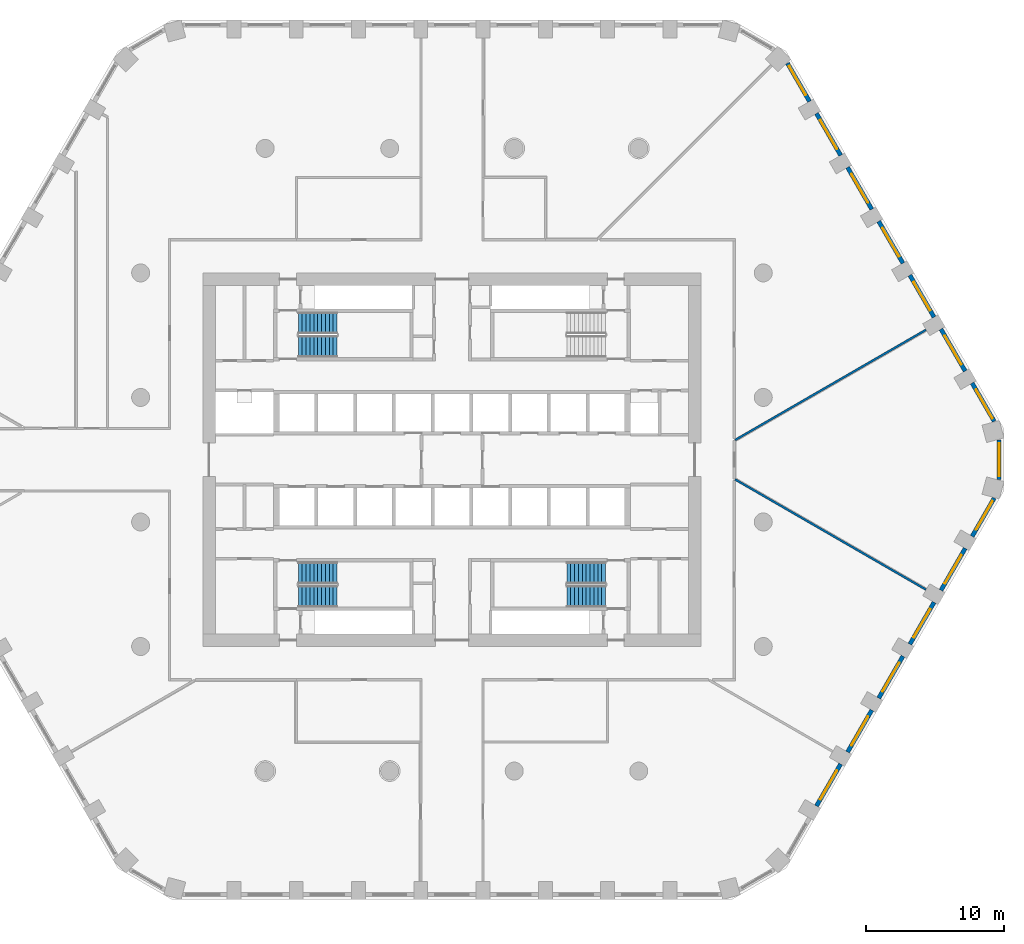
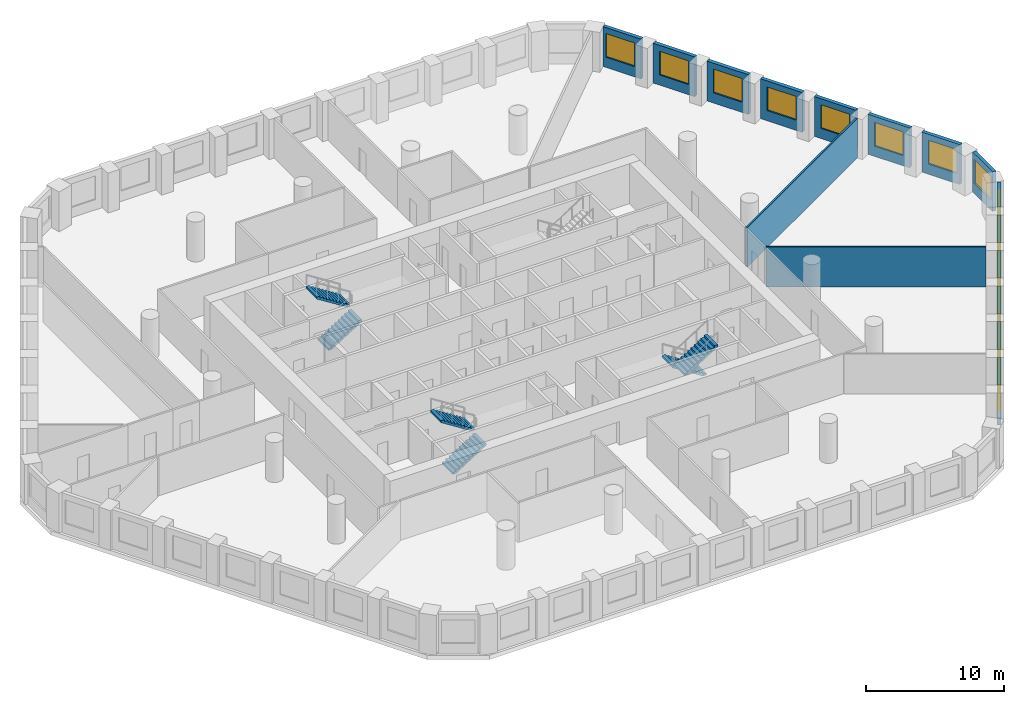
# One storey, part 8 of 14: 16 walls, 14 windows, 6 stair flights, 14 openings, 3 elements without a shape of their own.
"""IFC4 building model written with IfcOpenShell, lengths in metres."""

from ifc_helpers import new_model, si_unit, direction, frame, frame_2d, origin, place, context, subcontext, project, spatial, polyline, rectangle, outline, extrude, material, layer, layer_set, type_object, element, fill, aggregate, save


model = new_model("IFC4")

# Units and contexts
model_context = context("Model", 3, precision=1e-05, world=origin(), true_north=direction((0.0, 1.0)))
body_context = subcontext(model_context, "Body", "Model", "MODEL_VIEW")
ifc_project = project(units=[si_unit("LENGTHUNIT", "METRE"), si_unit("AREAUNIT", "SQUARE_METRE"), si_unit("VOLUMEUNIT", "CUBIC_METRE"), si_unit("PLANEANGLEUNIT", "RADIAN"), si_unit("MASSUNIT", "GRAM", prefix="KILO")], contexts=[model_context])

# Site, building, storey
site_placement = place(None, origin())
site = spatial("IfcSite", under=ifc_project, at=site_placement, CompositionType="ELEMENT")
building_placement = place(site_placement, origin())
building = spatial("IfcBuilding", under=site, at=building_placement, Name="Dhurran Vertical Campus", CompositionType="ELEMENT")
storey_placement = place(building_placement, frame((0.0, 0.0, 100.800048828125)))
storey = spatial("IfcBuildingStorey", under=building, at=storey_placement, Name="L24", CompositionType="ELEMENT", Elevation=100.800048828125)

# Wall, opening, window
ifc_material_1 = material(Name="Precast concrete C50/60", Category="concrete")
ifc_layer_1 = layer(ifc_material_1, 0.300048828125)
ifc_layer_set_1 = layer_set([ifc_layer_1], Name="Precast concrete C50/60")
wall_type_1 = type_object("IfcWallType", Name="Precast spandrel wall 300", PredefinedType="SOLIDWALL", material=ifc_layer_set_1)
wall_1_placement = place(storey_placement, frame((26.34423828125, -25.024169921875, 0.0), z_axis=(0.0, 0.0, 1.0), x_axis=(0.499996256241, 0.866027565234, 0.0)))
wall_1 = element("IfcWall", 1, at=wall_1_placement, inside=storey, type_object=wall_type_1, Name="EW1 L24.11", PredefinedType="SOLIDWALL", context=body_context, shape_type="SweptSolid", body=[
    extrude(rectangle(XDim=3.4990234375, YDim=0.300048828125, at=frame_2d((1.74951171875, 0.0))), origin(), (0.0, 0.0, 1.0), 3.52490234375),
])
opening_1_placement = place(wall_1_placement, frame((0.549560546875, 0.0, 0.89990234375)))
opening_1 = element("IfcOpeningElement", 2, at=opening_1_placement, cuts=wall_1, Name="Opening WT1", PredefinedType="OPENING", context=body_context, shape_type="SweptSolid", body=[
    extrude(rectangle(XDim=2.39990234375, YDim=2.10009765625, at=frame_2d((1.199951171875, 1.050048828125))), frame((0.0, 0.159912109375, 0.0), z_axis=(0.0, -1.0, 0.0), x_axis=(1.0, 0.0, 0.0)), (0.0, 0.0, 1.0), 0.320068359375),
])
ifc_material_2 = material(Name="Aluminium frame with solar-control glass", Category="aluminium")
window_type = type_object("IfcWindowType", Name="Punched window 2400 x 2100", PartitioningType="SINGLE_PANEL", PredefinedType="WINDOW", material=ifc_material_2)
window_1_placement = place(opening_1_placement, origin())
window_1 = element("IfcWindow", 3, at=window_1_placement, inside=storey, type_object=window_type, Name="WT1 L24.11", OverallHeight=2.10009765625, OverallWidth=2.39990234375, PartitioningType="SINGLE_PANEL", PredefinedType="WINDOW", context=body_context, shape_type="SweptSolid", body=[
    extrude(rectangle(XDim=2.39990234375, YDim=2.10009765625, at=frame_2d((1.199951171875, 1.050048828125))), frame((0.0, 0.030029296875, 0.0), z_axis=(0.0, -1.0, 0.0), x_axis=(1.0, 0.0, 0.0)), (0.0, 0.0, 1.0), 0.06005859375),
])
fill(opening_1, window_1)

wall_2_placement = place(storey_placement, frame((28.59423828125, -21.127197265625, 0.0), z_axis=(0.0, 0.0, 1.0), x_axis=(0.499996256241, 0.866027565234, 0.0)))
wall_2 = element("IfcWall", 4, at=wall_2_placement, inside=storey, type_object=wall_type_1, Name="EW1 L24.12", PredefinedType="SOLIDWALL", context=body_context, shape_type="SweptSolid", body=[
    extrude(rectangle(XDim=3.4990234375, YDim=0.300048828125, at=frame_2d((1.74951171875, 0.0))), origin(), (0.0, 0.0, 1.0), 3.52490234375),
])
opening_2_placement = place(wall_2_placement, frame((0.549560546875, 0.0, 0.89990234375)))
opening_2 = element("IfcOpeningElement", 5, at=opening_2_placement, cuts=wall_2, Name="Opening WT1", PredefinedType="OPENING", context=body_context, shape_type="SweptSolid", body=[
    extrude(rectangle(XDim=2.39990234375, YDim=2.10009765625, at=frame_2d((1.199951171875, 1.050048828125))), frame((0.0, 0.159912109375, 0.0), z_axis=(0.0, -1.0, 0.0), x_axis=(1.0, 0.0, 0.0)), (0.0, 0.0, 1.0), 0.320068359375),
])
window_2_placement = place(opening_2_placement, origin())
window_2 = element("IfcWindow", 6, at=window_2_placement, inside=storey, type_object=window_type, Name="WT1 L24.12", OverallHeight=2.10009765625, OverallWidth=2.39990234375, PartitioningType="SINGLE_PANEL", PredefinedType="WINDOW", context=body_context, shape_type="SweptSolid", body=[
    extrude(rectangle(XDim=2.39990234375, YDim=2.10009765625, at=frame_2d((1.199951171875, 1.050048828125))), frame((0.0, 0.030029296875, 0.0), z_axis=(0.0, -1.0, 0.0), x_axis=(1.0, 0.0, 0.0)), (0.0, 0.0, 1.0), 0.06005859375),
])
fill(opening_2, window_2)

wall_3_placement = place(storey_placement, frame((30.84423828125, -17.22998046875, 0.0), z_axis=(0.0, 0.0, 1.0), x_axis=(0.499996256241, 0.866027565234, 0.0)))
wall_3 = element("IfcWall", 7, at=wall_3_placement, inside=storey, type_object=wall_type_1, Name="EW1 L24.13", PredefinedType="SOLIDWALL", context=body_context, shape_type="SweptSolid", body=[
    extrude(rectangle(XDim=3.4990234375, YDim=0.300048828125, at=frame_2d((1.74951171875, 0.0))), origin(), (0.0, 0.0, 1.0), 3.52490234375),
])
opening_3_placement = place(wall_3_placement, frame((0.549560546875, 0.0, 0.89990234375)))
opening_3 = element("IfcOpeningElement", 8, at=opening_3_placement, cuts=wall_3, Name="Opening WT1", PredefinedType="OPENING", context=body_context, shape_type="SweptSolid", body=[
    extrude(rectangle(XDim=2.39990234375, YDim=2.10009765625, at=frame_2d((1.199951171875, 1.050048828125))), frame((0.0, 0.159912109375, 0.0), z_axis=(0.0, -1.0, 0.0), x_axis=(1.0, 0.0, 0.0)), (0.0, 0.0, 1.0), 0.320068359375),
])
window_3_placement = place(opening_3_placement, origin())
window_3 = element("IfcWindow", 9, at=window_3_placement, inside=storey, type_object=window_type, Name="WT1 L24.13", OverallHeight=2.10009765625, OverallWidth=2.39990234375, PartitioningType="SINGLE_PANEL", PredefinedType="WINDOW", context=body_context, shape_type="SweptSolid", body=[
    extrude(rectangle(XDim=2.39990234375, YDim=2.10009765625, at=frame_2d((1.199951171875, 1.050048828125))), frame((0.0, 0.030029296875, 0.0), z_axis=(0.0, -1.0, 0.0), x_axis=(1.0, 0.0, 0.0)), (0.0, 0.0, 1.0), 0.06005859375),
])
fill(opening_3, window_3)

wall_4_placement = place(storey_placement, frame((33.09423828125, -13.3330078125, 0.0), z_axis=(0.0, 0.0, 1.0), x_axis=(0.499996256241, 0.866027565234, 0.0)))
wall_4 = element("IfcWall", 10, at=wall_4_placement, inside=storey, type_object=wall_type_1, Name="EW1 L24.14", PredefinedType="SOLIDWALL", context=body_context, shape_type="SweptSolid", body=[
    extrude(rectangle(XDim=3.4990234375, YDim=0.300048828125, at=frame_2d((1.74951171875, 0.0))), origin(), (0.0, 0.0, 1.0), 3.52490234375),
])
opening_4_placement = place(wall_4_placement, frame((0.549560546875, 0.0, 0.89990234375)))
opening_4 = element("IfcOpeningElement", 11, at=opening_4_placement, cuts=wall_4, Name="Opening WT1", PredefinedType="OPENING", context=body_context, shape_type="SweptSolid", body=[
    extrude(rectangle(XDim=2.39990234375, YDim=2.10009765625, at=frame_2d((1.199951171875, 1.050048828125))), frame((0.0, 0.159912109375, 0.0), z_axis=(0.0, -1.0, 0.0), x_axis=(1.0, 0.0, 0.0)), (0.0, 0.0, 1.0), 0.320068359375),
])
window_4_placement = place(opening_4_placement, origin())
window_4 = element("IfcWindow", 12, at=window_4_placement, inside=storey, type_object=window_type, Name="WT1 L24.14", OverallHeight=2.10009765625, OverallWidth=2.39990234375, PartitioningType="SINGLE_PANEL", PredefinedType="WINDOW", context=body_context, shape_type="SweptSolid", body=[
    extrude(rectangle(XDim=2.39990234375, YDim=2.10009765625, at=frame_2d((1.199951171875, 1.050048828125))), frame((0.0, 0.030029296875, 0.0), z_axis=(0.0, -1.0, 0.0), x_axis=(1.0, 0.0, 0.0)), (0.0, 0.0, 1.0), 0.06005859375),
])
fill(opening_4, window_4)

wall_5_placement = place(storey_placement, frame((35.34423828125, -9.435791015625, 0.0), z_axis=(0.0, 0.0, 1.0), x_axis=(0.499996256241, 0.866027565234, 0.0)))
wall_5 = element("IfcWall", 13, at=wall_5_placement, inside=storey, type_object=wall_type_1, Name="EW1 L24.15", PredefinedType="SOLIDWALL", context=body_context, shape_type="SweptSolid", body=[
    extrude(rectangle(XDim=3.4990234375, YDim=0.300048828125, at=frame_2d((1.74951171875, 0.0))), origin(), (0.0, 0.0, 1.0), 3.52490234375),
])
opening_5_placement = place(wall_5_placement, frame((0.549560546875, 0.0, 0.89990234375)))
opening_5 = element("IfcOpeningElement", 14, at=opening_5_placement, cuts=wall_5, Name="Opening WT1", PredefinedType="OPENING", context=body_context, shape_type="SweptSolid", body=[
    extrude(rectangle(XDim=2.39990234375, YDim=2.10009765625, at=frame_2d((1.199951171875, 1.050048828125))), frame((0.0, 0.159912109375, 0.0), z_axis=(0.0, -1.0, 0.0), x_axis=(1.0, 0.0, 0.0)), (0.0, 0.0, 1.0), 0.320068359375),
])
window_5_placement = place(opening_5_placement, origin())
window_5 = element("IfcWindow", 15, at=window_5_placement, inside=storey, type_object=window_type, Name="WT1 L24.15", OverallHeight=2.10009765625, OverallWidth=2.39990234375, PartitioningType="SINGLE_PANEL", PredefinedType="WINDOW", context=body_context, shape_type="SweptSolid", body=[
    extrude(rectangle(XDim=2.39990234375, YDim=2.10009765625, at=frame_2d((1.199951171875, 1.050048828125))), frame((0.0, 0.030029296875, 0.0), z_axis=(0.0, -1.0, 0.0), x_axis=(1.0, 0.0, 0.0)), (0.0, 0.0, 1.0), 0.06005859375),
])
fill(opening_5, window_5)

wall_6_placement = place(storey_placement, frame((37.59423828125, -5.538818359375, 0.0), z_axis=(0.0, 0.0, 1.0), x_axis=(0.500004907028, 0.866022570692, 0.0)))
wall_6 = element("IfcWall", 16, at=wall_6_placement, inside=storey, type_object=wall_type_1, Name="EW1 L24.16", PredefinedType="SOLIDWALL", context=body_context, shape_type="SweptSolid", body=[
    extrude(rectangle(XDim=3.1923828125, YDim=0.300048828125, at=frame_2d((1.59619140625, 0.0))), origin(), (0.0, 0.0, 1.0), 3.52490234375),
])
opening_6_placement = place(wall_6_placement, frame((0.549560546875, 0.0, 0.89990234375)))
opening_6 = element("IfcOpeningElement", 17, at=opening_6_placement, cuts=wall_6, Name="Opening WT1", PredefinedType="OPENING", context=body_context, shape_type="SweptSolid", body=[
    extrude(rectangle(XDim=2.39990234375, YDim=2.10009765625, at=frame_2d((1.199951171875, 1.050048828125))), frame((0.0, 0.159912109375, 0.0), z_axis=(0.0, -1.0, 0.0), x_axis=(1.0, 0.0, 0.0)), (0.0, 0.0, 1.0), 0.320068359375),
])
window_6_placement = place(opening_6_placement, origin())
window_6 = element("IfcWindow", 18, at=window_6_placement, inside=storey, type_object=window_type, Name="WT1 L24.16", OverallHeight=2.10009765625, OverallWidth=2.39990234375, PartitioningType="SINGLE_PANEL", PredefinedType="WINDOW", context=body_context, shape_type="SweptSolid", body=[
    extrude(rectangle(XDim=2.39990234375, YDim=2.10009765625, at=frame_2d((1.199951171875, 1.050048828125))), frame((0.0, 0.030029296875, 0.0), z_axis=(0.0, -1.0, 0.0), x_axis=(1.0, 0.0, 0.0)), (0.0, 0.0, 1.0), 0.06005859375),
])
fill(opening_6, window_6)

wall_7_placement = place(storey_placement, frame((39.547119140625, -1.44287109375, 0.0), z_axis=(0.0, 0.0, 1.0), x_axis=(0.0, 1.0, 0.0)))
wall_7 = element("IfcWall", 19, at=wall_7_placement, inside=storey, type_object=wall_type_1, Name="EW1 L24.17", PredefinedType="SOLIDWALL", context=body_context, shape_type="SweptSolid", body=[
    extrude(rectangle(XDim=2.8857421875, YDim=0.300048828125, at=frame_2d((1.44287109375, 0.0))), origin(), (0.0, 0.0, 1.0), 3.52490234375),
])
opening_7_placement = place(wall_7_placement, frame((0.242919921875, 0.0, 0.89990234375)))
opening_7 = element("IfcOpeningElement", 20, at=opening_7_placement, cuts=wall_7, Name="Opening WT1", PredefinedType="OPENING", context=body_context, shape_type="SweptSolid", body=[
    extrude(rectangle(XDim=2.39990234375, YDim=2.10009765625, at=frame_2d((1.199951171875, 1.050048828125))), frame((0.0, 0.159912109375, 0.0), z_axis=(0.0, -1.0, 0.0), x_axis=(1.0, 0.0, 0.0)), (0.0, 0.0, 1.0), 0.320068359375),
])
window_7_placement = place(opening_7_placement, origin())
window_7 = element("IfcWindow", 21, at=window_7_placement, inside=storey, type_object=window_type, Name="WT1 L24.17", OverallHeight=2.10009765625, OverallWidth=2.39990234375, PartitioningType="SINGLE_PANEL", PredefinedType="WINDOW", context=body_context, shape_type="SweptSolid", body=[
    extrude(rectangle(XDim=2.39990234375, YDim=2.10009765625, at=frame_2d((1.199951171875, 1.050048828125))), frame((0.0, 0.030029296875, 0.0), z_axis=(0.0, -1.0, 0.0), x_axis=(1.0, 0.0, 0.0)), (0.0, 0.0, 1.0), 0.06005859375),
])
fill(opening_7, window_7)

wall_8_placement = place(storey_placement, frame((39.1904296875, 2.774169921875, 0.0), z_axis=(0.0, 0.0, 1.0), x_axis=(-0.500004907028, 0.866022570692, 0.0)))
wall_8 = element("IfcWall", 22, at=wall_8_placement, inside=storey, type_object=wall_type_1, Name="EW1 L24.18", PredefinedType="SOLIDWALL", context=body_context, shape_type="SweptSolid", body=[
    extrude(rectangle(XDim=3.1923828125, YDim=0.300048828125, at=frame_2d((1.59619140625, 0.0))), origin(), (0.0, 0.0, 1.0), 3.52490234375),
])
opening_8_placement = place(wall_8_placement, frame((0.242919921875, 0.0, 0.89990234375)))
opening_8 = element("IfcOpeningElement", 23, at=opening_8_placement, cuts=wall_8, Name="Opening WT1", PredefinedType="OPENING", context=body_context, shape_type="SweptSolid", body=[
    extrude(rectangle(XDim=2.39990234375, YDim=2.10009765625, at=frame_2d((1.199951171875, 1.050048828125))), frame((0.0, 0.159912109375, 0.0), z_axis=(0.0, -1.0, 0.0), x_axis=(1.0, 0.0, 0.0)), (0.0, 0.0, 1.0), 0.320068359375),
])
window_8_placement = place(opening_8_placement, origin())
window_8 = element("IfcWindow", 24, at=window_8_placement, inside=storey, type_object=window_type, Name="WT1 L24.18", OverallHeight=2.10009765625, OverallWidth=2.39990234375, PartitioningType="SINGLE_PANEL", PredefinedType="WINDOW", context=body_context, shape_type="SweptSolid", body=[
    extrude(rectangle(XDim=2.39990234375, YDim=2.10009765625, at=frame_2d((1.199951171875, 1.050048828125))), frame((0.0, 0.030029296875, 0.0), z_axis=(0.0, -1.0, 0.0), x_axis=(1.0, 0.0, 0.0)), (0.0, 0.0, 1.0), 0.06005859375),
])
fill(opening_8, window_8)

wall_9_placement = place(storey_placement, frame((37.09375, 6.405517578125, 0.0), z_axis=(0.0, 0.0, 1.0), x_axis=(-0.499996256241, 0.866027565234, 0.0)))
wall_9 = element("IfcWall", 25, at=wall_9_placement, inside=storey, type_object=wall_type_1, Name="EW1 L24.19", PredefinedType="SOLIDWALL", context=body_context, shape_type="SweptSolid", body=[
    extrude(rectangle(XDim=3.4990234375, YDim=0.300048828125, at=frame_2d((1.74951171875, 0.0))), origin(), (0.0, 0.0, 1.0), 3.52490234375),
])
opening_9_placement = place(wall_9_placement, frame((0.549560546875, 0.0, 0.89990234375)))
opening_9 = element("IfcOpeningElement", 26, at=opening_9_placement, cuts=wall_9, Name="Opening WT1", PredefinedType="OPENING", context=body_context, shape_type="SweptSolid", body=[
    extrude(rectangle(XDim=2.39990234375, YDim=2.10009765625, at=frame_2d((1.199951171875, 1.050048828125))), frame((0.0, 0.159912109375, 0.0), z_axis=(0.0, -1.0, 0.0), x_axis=(1.0, 0.0, 0.0)), (0.0, 0.0, 1.0), 0.320068359375),
])
window_9_placement = place(opening_9_placement, origin())
window_9 = element("IfcWindow", 27, at=window_9_placement, inside=storey, type_object=window_type, Name="WT1 L24.19", OverallHeight=2.10009765625, OverallWidth=2.39990234375, PartitioningType="SINGLE_PANEL", PredefinedType="WINDOW", context=body_context, shape_type="SweptSolid", body=[
    extrude(rectangle(XDim=2.39990234375, YDim=2.10009765625, at=frame_2d((1.199951171875, 1.050048828125))), frame((0.0, 0.030029296875, 0.0), z_axis=(0.0, -1.0, 0.0), x_axis=(1.0, 0.0, 0.0)), (0.0, 0.0, 1.0), 0.06005859375),
])
fill(opening_9, window_9)

wall_10_placement = place(storey_placement, frame((34.84375, 10.302734375, 0.0), z_axis=(0.0, 0.0, 1.0), x_axis=(-0.499996256241, 0.866027565234, 0.0)))
wall_10 = element("IfcWall", 28, at=wall_10_placement, inside=storey, type_object=wall_type_1, Name="EW1 L24.20", PredefinedType="SOLIDWALL", context=body_context, shape_type="SweptSolid", body=[
    extrude(rectangle(XDim=3.4990234375, YDim=0.300048828125, at=frame_2d((1.74951171875, 0.0))), origin(), (0.0, 0.0, 1.0), 3.52490234375),
])
opening_10_placement = place(wall_10_placement, frame((0.549560546875, 0.0, 0.89990234375)))
opening_10 = element("IfcOpeningElement", 29, at=opening_10_placement, cuts=wall_10, Name="Opening WT1", PredefinedType="OPENING", context=body_context, shape_type="SweptSolid", body=[
    extrude(rectangle(XDim=2.39990234375, YDim=2.10009765625, at=frame_2d((1.199951171875, 1.050048828125))), frame((0.0, 0.159912109375, 0.0), z_axis=(0.0, -1.0, 0.0), x_axis=(1.0, 0.0, 0.0)), (0.0, 0.0, 1.0), 0.320068359375),
])
window_10_placement = place(opening_10_placement, origin())
window_10 = element("IfcWindow", 30, at=window_10_placement, inside=storey, type_object=window_type, Name="WT1 L24.20", OverallHeight=2.10009765625, OverallWidth=2.39990234375, PartitioningType="SINGLE_PANEL", PredefinedType="WINDOW", context=body_context, shape_type="SweptSolid", body=[
    extrude(rectangle(XDim=2.39990234375, YDim=2.10009765625, at=frame_2d((1.199951171875, 1.050048828125))), frame((0.0, 0.030029296875, 0.0), z_axis=(0.0, -1.0, 0.0), x_axis=(1.0, 0.0, 0.0)), (0.0, 0.0, 1.0), 0.06005859375),
])
fill(opening_10, window_10)

wall_11_placement = place(storey_placement, frame((32.59375, 14.19970703125, 0.0), z_axis=(0.0, 0.0, 1.0), x_axis=(-0.499996256241, 0.866027565234, 0.0)))
wall_11 = element("IfcWall", 31, at=wall_11_placement, inside=storey, type_object=wall_type_1, Name="EW1 L24.21", PredefinedType="SOLIDWALL", context=body_context, shape_type="SweptSolid", body=[
    extrude(rectangle(XDim=3.4990234375, YDim=0.300048828125, at=frame_2d((1.74951171875, 0.0))), origin(), (0.0, 0.0, 1.0), 3.52490234375),
])
opening_11_placement = place(wall_11_placement, frame((0.549560546875, 0.0, 0.89990234375)))
opening_11 = element("IfcOpeningElement", 32, at=opening_11_placement, cuts=wall_11, Name="Opening WT1", PredefinedType="OPENING", context=body_context, shape_type="SweptSolid", body=[
    extrude(rectangle(XDim=2.39990234375, YDim=2.10009765625, at=frame_2d((1.199951171875, 1.050048828125))), frame((0.0, 0.159912109375, 0.0), z_axis=(0.0, -1.0, 0.0), x_axis=(1.0, 0.0, 0.0)), (0.0, 0.0, 1.0), 0.320068359375),
])
window_11_placement = place(opening_11_placement, origin())
window_11 = element("IfcWindow", 33, at=window_11_placement, inside=storey, type_object=window_type, Name="WT1 L24.21", OverallHeight=2.10009765625, OverallWidth=2.39990234375, PartitioningType="SINGLE_PANEL", PredefinedType="WINDOW", context=body_context, shape_type="SweptSolid", body=[
    extrude(rectangle(XDim=2.39990234375, YDim=2.10009765625, at=frame_2d((1.199951171875, 1.050048828125))), frame((0.0, 0.030029296875, 0.0), z_axis=(0.0, -1.0, 0.0), x_axis=(1.0, 0.0, 0.0)), (0.0, 0.0, 1.0), 0.06005859375),
])
fill(opening_11, window_11)

wall_12_placement = place(storey_placement, frame((30.34375, 18.096923828125, 0.0), z_axis=(0.0, 0.0, 1.0), x_axis=(-0.499996256241, 0.866027565234, 0.0)))
wall_12 = element("IfcWall", 34, at=wall_12_placement, inside=storey, type_object=wall_type_1, Name="EW1 L24.22", PredefinedType="SOLIDWALL", context=body_context, shape_type="SweptSolid", body=[
    extrude(rectangle(XDim=3.4990234375, YDim=0.300048828125, at=frame_2d((1.74951171875, 0.0))), origin(), (0.0, 0.0, 1.0), 3.52490234375),
])
opening_12_placement = place(wall_12_placement, frame((0.549560546875, 0.0, 0.89990234375)))
opening_12 = element("IfcOpeningElement", 35, at=opening_12_placement, cuts=wall_12, Name="Opening WT1", PredefinedType="OPENING", context=body_context, shape_type="SweptSolid", body=[
    extrude(rectangle(XDim=2.39990234375, YDim=2.10009765625, at=frame_2d((1.199951171875, 1.050048828125))), frame((0.0, 0.159912109375, 0.0), z_axis=(0.0, -1.0, 0.0), x_axis=(1.0, 0.0, 0.0)), (0.0, 0.0, 1.0), 0.320068359375),
])
window_12_placement = place(opening_12_placement, origin())
window_12 = element("IfcWindow", 36, at=window_12_placement, inside=storey, type_object=window_type, Name="WT1 L24.22", OverallHeight=2.10009765625, OverallWidth=2.39990234375, PartitioningType="SINGLE_PANEL", PredefinedType="WINDOW", context=body_context, shape_type="SweptSolid", body=[
    extrude(rectangle(XDim=2.39990234375, YDim=2.10009765625, at=frame_2d((1.199951171875, 1.050048828125))), frame((0.0, 0.030029296875, 0.0), z_axis=(0.0, -1.0, 0.0), x_axis=(1.0, 0.0, 0.0)), (0.0, 0.0, 1.0), 0.06005859375),
])
fill(opening_12, window_12)

wall_13_placement = place(storey_placement, frame((28.09375, 21.993896484375, 0.0), z_axis=(0.0, 0.0, 1.0), x_axis=(-0.499996256241, 0.866027565234, 0.0)))
wall_13 = element("IfcWall", 37, at=wall_13_placement, inside=storey, type_object=wall_type_1, Name="EW1 L24.23", PredefinedType="SOLIDWALL", context=body_context, shape_type="SweptSolid", body=[
    extrude(rectangle(XDim=3.4990234375, YDim=0.300048828125, at=frame_2d((1.74951171875, 0.0))), origin(), (0.0, 0.0, 1.0), 3.52490234375),
])
opening_13_placement = place(wall_13_placement, frame((0.549560546875, 0.0, 0.89990234375)))
opening_13 = element("IfcOpeningElement", 38, at=opening_13_placement, cuts=wall_13, Name="Opening WT1", PredefinedType="OPENING", context=body_context, shape_type="SweptSolid", body=[
    extrude(rectangle(XDim=2.39990234375, YDim=2.10009765625, at=frame_2d((1.199951171875, 1.050048828125))), frame((0.0, 0.159912109375, 0.0), z_axis=(0.0, -1.0, 0.0), x_axis=(1.0, 0.0, 0.0)), (0.0, 0.0, 1.0), 0.320068359375),
])
window_13_placement = place(opening_13_placement, origin())
window_13 = element("IfcWindow", 39, at=window_13_placement, inside=storey, type_object=window_type, Name="WT1 L24.23", OverallHeight=2.10009765625, OverallWidth=2.39990234375, PartitioningType="SINGLE_PANEL", PredefinedType="WINDOW", context=body_context, shape_type="SweptSolid", body=[
    extrude(rectangle(XDim=2.39990234375, YDim=2.10009765625, at=frame_2d((1.199951171875, 1.050048828125))), frame((0.0, 0.030029296875, 0.0), z_axis=(0.0, -1.0, 0.0), x_axis=(1.0, 0.0, 0.0)), (0.0, 0.0, 1.0), 0.06005859375),
])
fill(opening_13, window_13)

wall_14_placement = place(storey_placement, frame((25.84375, 25.89111328125, 0.0), z_axis=(0.0, 0.0, 1.0), x_axis=(-0.500004907028, 0.866022570692, 0.0)))
wall_14 = element("IfcWall", 40, at=wall_14_placement, inside=storey, type_object=wall_type_1, Name="EW1 L24.24", PredefinedType="SOLIDWALL", context=body_context, shape_type="SweptSolid", body=[
    extrude(rectangle(XDim=3.1923828125, YDim=0.300048828125, at=frame_2d((1.59619140625, 0.0))), origin(), (0.0, 0.0, 1.0), 3.52490234375),
])
opening_14_placement = place(wall_14_placement, frame((0.549560546875, 0.0, 0.89990234375)))
opening_14 = element("IfcOpeningElement", 41, at=opening_14_placement, cuts=wall_14, Name="Opening WT1", PredefinedType="OPENING", context=body_context, shape_type="SweptSolid", body=[
    extrude(rectangle(XDim=2.39990234375, YDim=2.10009765625, at=frame_2d((1.199951171875, 1.050048828125))), frame((0.0, 0.159912109375, 0.0), z_axis=(0.0, -1.0, 0.0), x_axis=(1.0, 0.0, 0.0)), (0.0, 0.0, 1.0), 0.320068359375),
])
window_14_placement = place(opening_14_placement, origin())
window_14 = element("IfcWindow", 42, at=window_14_placement, inside=storey, type_object=window_type, Name="WT1 L24.24", OverallHeight=2.10009765625, OverallWidth=2.39990234375, PartitioningType="SINGLE_PANEL", PredefinedType="WINDOW", context=body_context, shape_type="SweptSolid", body=[
    extrude(rectangle(XDim=2.39990234375, YDim=2.10009765625, at=frame_2d((1.199951171875, 1.050048828125))), frame((0.0, 0.030029296875, 0.0), z_axis=(0.0, -1.0, 0.0), x_axis=(1.0, 0.0, 0.0)), (0.0, 0.0, 1.0), 0.06005859375),
])
fill(opening_14, window_14)

# Walls
ifc_material_3 = material(Name="Gypsum board partition on steel studs", Category="steel")
ifc_layer_2 = layer(ifc_material_3, 0.14990234375)
ifc_layer_set_2 = layer_set([ifc_layer_2], Name="Gypsum board partition on steel studs")
wall_type_2 = type_object("IfcWallType", Name="fl-PW-150 fixed partition", PredefinedType="PARTITIONING", material=ifc_layer_set_2)
for number, where, z_axis, x_axis, name in (
    (43, (20.465087890625, -1.423583984375, 0.0), (0.0, 0.0, 1.0), (0.866033144593, -0.499986592286, 0.0), "Partition 24-46"),
    (44, (34.25390625, 9.38427734375, 0.0), (0.0, 0.0, 1.0), (-0.866033144593, -0.499986592286, 0.0), "Partition 24-48"),
):
    element("IfcWall", number, at=place(storey_placement, frame(where, z_axis=z_axis, x_axis=x_axis)), inside=storey, type_object=wall_type_2, Name=name, PredefinedType="PARTITIONING", context=body_context, shape_type="SweptSolid", body=[
        extrude(rectangle(XDim=15.921875, YDim=0.14990234375, at=frame_2d((7.9609375, 0.0))), origin(), (0.0, 0.0, 1.0), 3.52490234375),
    ])

# Stair, stair flights
ifc_material_4 = material(Name="Concrete C40/50", Category="concrete")
stair_type = type_object("IfcStairType", Name="co-ST-CORE", PredefinedType="HALF_TURN_STAIR", material=ifc_material_4)
stair_1_placement = place(storey_placement, origin())
stair_1 = element("IfcStair", 45, at=stair_1_placement, inside=storey, type_object=stair_type, Name="L24 Protected exit stair ST1", PredefinedType="HALF_TURN_STAIR")
ifc_material_5 = material(Name="Concrete C40/50", Category="concrete")
stair_flight_type = type_object("IfcStairFlightType", Name="co-SFL-RC", PredefinedType="STRAIGHT", material=ifc_material_5)
stair_flight_1_placement = place(storey_placement, frame((-11.10009765625, 8.175048828125, 0.0), z_axis=(0.0, 0.0, 1.0), x_axis=(1.0, 0.0, 0.0)))
stair_flight_1 = element("IfcStairFlight", 46, at=stair_flight_1_placement, type_object=stair_flight_type, Name="ST1 flight 1", NumberOfRisers=11, NumberOfTreads=10, PredefinedType="STRAIGHT", RiserHeight=0.177272727, TreadLength=0.28, context=body_context, shape_type="SweptSolid", body=[
    extrude(outline(polyline([(0.0, 0.0), (0.0, 0.17724609375), (0.280029296875, 0.17724609375), (0.280029296875, 0.3544921875), (0.56005859375, 0.3544921875), (0.56005859375, 0.53173828125), (0.840087890625, 0.53173828125), (0.840087890625, 0.708984375), (1.1201171875, 0.708984375), (1.1201171875, 0.886474609375), (1.39990234375, 0.886474609375), (1.39990234375, 1.063720703125), (1.679931640625, 1.063720703125), (1.679931640625, 1.240966796875), (1.9599609375, 1.240966796875), (1.9599609375, 1.418212890625), (2.239990234375, 1.418212890625), (2.239990234375, 1.595458984375), (2.52001953125, 1.595458984375), (2.52001953125, 1.772705078125), (2.800048828125, 1.772705078125), (2.800048828125, 1.949951171875), (2.800048828125, 1.59521484375), (0.2802734375, 0.0), (0.0, 0.0)])), frame((0.0, 0.77490234375, 0.0), z_axis=(0.0, -1.0, 0.0), x_axis=(1.0, 0.0, 0.0)), (0.0, 0.0, 1.0), 1.550048828125),
])
stair_flight_2_placement = place(storey_placement, frame((-8.300048828125, 9.875, 1.949951171875), z_axis=(0.0, 0.0, 1.0), x_axis=(-1.0, 0.0, 0.0)))
stair_flight_2 = element("IfcStairFlight", 47, at=stair_flight_2_placement, type_object=stair_flight_type, Name="ST1 flight 2", NumberOfRisers=11, NumberOfTreads=10, PredefinedType="STRAIGHT", RiserHeight=0.177272727, TreadLength=0.28, context=body_context, shape_type="SweptSolid", body=[
    extrude(outline(polyline([(0.0, 0.0), (0.0, 0.17724609375), (0.280029296875, 0.17724609375), (0.280029296875, 0.3544921875), (0.56005859375, 0.3544921875), (0.56005859375, 0.53173828125), (0.840087890625, 0.53173828125), (0.840087890625, 0.708984375), (1.1201171875, 0.708984375), (1.1201171875, 0.886474609375), (1.39990234375, 0.886474609375), (1.39990234375, 1.063720703125), (1.679931640625, 1.063720703125), (1.679931640625, 1.240966796875), (1.9599609375, 1.240966796875), (1.9599609375, 1.418212890625), (2.239990234375, 1.418212890625), (2.239990234375, 1.595458984375), (2.52001953125, 1.595458984375), (2.52001953125, 1.772705078125), (2.800048828125, 1.772705078125), (2.800048828125, 1.949951171875), (2.800048828125, 1.59521484375), (0.2802734375, 0.0), (0.0, 0.0)])), frame((0.0, 0.77490234375, 0.0), z_axis=(0.0, -1.0, 0.0), x_axis=(1.0, 0.0, 0.0)), (0.0, 0.0, 1.0), 1.550048828125),
])
aggregate(stair_1, [stair_flight_1, stair_flight_2])

stair_2_placement = place(storey_placement, origin())
stair_2 = element("IfcStair", 48, at=stair_2_placement, inside=storey, type_object=stair_type, Name="L24 Protected exit stair ST3", PredefinedType="HALF_TURN_STAIR")
stair_flight_3_placement = place(storey_placement, frame((-11.10009765625, -9.875, 0.0), z_axis=(0.0, 0.0, 1.0), x_axis=(1.0, 0.0, 0.0)))
stair_flight_3 = element("IfcStairFlight", 49, at=stair_flight_3_placement, type_object=stair_flight_type, Name="ST3 flight 1", NumberOfRisers=11, NumberOfTreads=10, PredefinedType="STRAIGHT", RiserHeight=0.177272727, TreadLength=0.28, context=body_context, shape_type="SweptSolid", body=[
    extrude(outline(polyline([(0.0, 0.0), (0.0, 0.17724609375), (0.280029296875, 0.17724609375), (0.280029296875, 0.3544921875), (0.56005859375, 0.3544921875), (0.56005859375, 0.53173828125), (0.840087890625, 0.53173828125), (0.840087890625, 0.708984375), (1.1201171875, 0.708984375), (1.1201171875, 0.886474609375), (1.39990234375, 0.886474609375), (1.39990234375, 1.063720703125), (1.679931640625, 1.063720703125), (1.679931640625, 1.240966796875), (1.9599609375, 1.240966796875), (1.9599609375, 1.418212890625), (2.239990234375, 1.418212890625), (2.239990234375, 1.595458984375), (2.52001953125, 1.595458984375), (2.52001953125, 1.772705078125), (2.800048828125, 1.772705078125), (2.800048828125, 1.949951171875), (2.800048828125, 1.59521484375), (0.2802734375, 0.0), (0.0, 0.0)])), frame((0.0, 0.77490234375, 0.0), z_axis=(0.0, -1.0, 0.0), x_axis=(1.0, 0.0, 0.0)), (0.0, 0.0, 1.0), 1.550048828125),
])
stair_flight_4_placement = place(storey_placement, frame((-8.300048828125, -8.175048828125, 1.949951171875), z_axis=(0.0, 0.0, 1.0), x_axis=(-1.0, 0.0, 0.0)))
stair_flight_4 = element("IfcStairFlight", 50, at=stair_flight_4_placement, type_object=stair_flight_type, Name="ST3 flight 2", NumberOfRisers=11, NumberOfTreads=10, PredefinedType="STRAIGHT", RiserHeight=0.177272727, TreadLength=0.28, context=body_context, shape_type="SweptSolid", body=[
    extrude(outline(polyline([(0.0, 0.0), (0.0, 0.17724609375), (0.280029296875, 0.17724609375), (0.280029296875, 0.3544921875), (0.56005859375, 0.3544921875), (0.56005859375, 0.53173828125), (0.840087890625, 0.53173828125), (0.840087890625, 0.708984375), (1.1201171875, 0.708984375), (1.1201171875, 0.886474609375), (1.39990234375, 0.886474609375), (1.39990234375, 1.063720703125), (1.679931640625, 1.063720703125), (1.679931640625, 1.240966796875), (1.9599609375, 1.240966796875), (1.9599609375, 1.418212890625), (2.239990234375, 1.418212890625), (2.239990234375, 1.595458984375), (2.52001953125, 1.595458984375), (2.52001953125, 1.772705078125), (2.800048828125, 1.772705078125), (2.800048828125, 1.949951171875), (2.800048828125, 1.59521484375), (0.2802734375, 0.0), (0.0, 0.0)])), frame((0.0, 0.77490234375, 0.0), z_axis=(0.0, -1.0, 0.0), x_axis=(1.0, 0.0, 0.0)), (0.0, 0.0, 1.0), 1.550048828125),
])
aggregate(stair_2, [stair_flight_3, stair_flight_4])

stair_3_placement = place(storey_placement, origin())
stair_3 = element("IfcStair", 51, at=stair_3_placement, inside=storey, type_object=stair_type, Name="L24 Protected exit stair ST4", PredefinedType="HALF_TURN_STAIR")
stair_flight_5_placement = place(storey_placement, frame((11.10009765625, -8.175048828125, 0.0), z_axis=(0.0, 0.0, 1.0), x_axis=(-1.0, 0.0, 0.0)))
stair_flight_5 = element("IfcStairFlight", 52, at=stair_flight_5_placement, type_object=stair_flight_type, Name="ST4 flight 1", NumberOfRisers=11, NumberOfTreads=10, PredefinedType="STRAIGHT", RiserHeight=0.177272727, TreadLength=0.28, context=body_context, shape_type="SweptSolid", body=[
    extrude(outline(polyline([(0.0, 0.0), (0.0, 0.17724609375), (0.280029296875, 0.17724609375), (0.280029296875, 0.3544921875), (0.56005859375, 0.3544921875), (0.56005859375, 0.53173828125), (0.840087890625, 0.53173828125), (0.840087890625, 0.708984375), (1.1201171875, 0.708984375), (1.1201171875, 0.886474609375), (1.39990234375, 0.886474609375), (1.39990234375, 1.063720703125), (1.679931640625, 1.063720703125), (1.679931640625, 1.240966796875), (1.9599609375, 1.240966796875), (1.9599609375, 1.418212890625), (2.239990234375, 1.418212890625), (2.239990234375, 1.595458984375), (2.52001953125, 1.595458984375), (2.52001953125, 1.772705078125), (2.800048828125, 1.772705078125), (2.800048828125, 1.949951171875), (2.800048828125, 1.59521484375), (0.2802734375, 0.0), (0.0, 0.0)])), frame((0.0, 0.77490234375, 0.0), z_axis=(0.0, -1.0, 0.0), x_axis=(1.0, 0.0, 0.0)), (0.0, 0.0, 1.0), 1.550048828125),
])
stair_flight_6_placement = place(storey_placement, frame((8.300048828125, -9.875, 1.949951171875), z_axis=(0.0, 0.0, 1.0), x_axis=(1.0, 0.0, 0.0)))
stair_flight_6 = element("IfcStairFlight", 53, at=stair_flight_6_placement, type_object=stair_flight_type, Name="ST4 flight 2", NumberOfRisers=11, NumberOfTreads=10, PredefinedType="STRAIGHT", RiserHeight=0.177272727, TreadLength=0.28, context=body_context, shape_type="SweptSolid", body=[
    extrude(outline(polyline([(0.0, 0.0), (0.0, 0.17724609375), (0.280029296875, 0.17724609375), (0.280029296875, 0.3544921875), (0.56005859375, 0.3544921875), (0.56005859375, 0.53173828125), (0.840087890625, 0.53173828125), (0.840087890625, 0.708984375), (1.1201171875, 0.708984375), (1.1201171875, 0.886474609375), (1.39990234375, 0.886474609375), (1.39990234375, 1.063720703125), (1.679931640625, 1.063720703125), (1.679931640625, 1.240966796875), (1.9599609375, 1.240966796875), (1.9599609375, 1.418212890625), (2.239990234375, 1.418212890625), (2.239990234375, 1.595458984375), (2.52001953125, 1.595458984375), (2.52001953125, 1.772705078125), (2.800048828125, 1.772705078125), (2.800048828125, 1.949951171875), (2.800048828125, 1.59521484375), (0.2802734375, 0.0), (0.0, 0.0)])), frame((0.0, 0.77490234375, 0.0), z_axis=(0.0, -1.0, 0.0), x_axis=(1.0, 0.0, 0.0)), (0.0, 0.0, 1.0), 1.550048828125),
])
aggregate(stair_3, [stair_flight_5, stair_flight_6])

save(model, "model.ifc")
